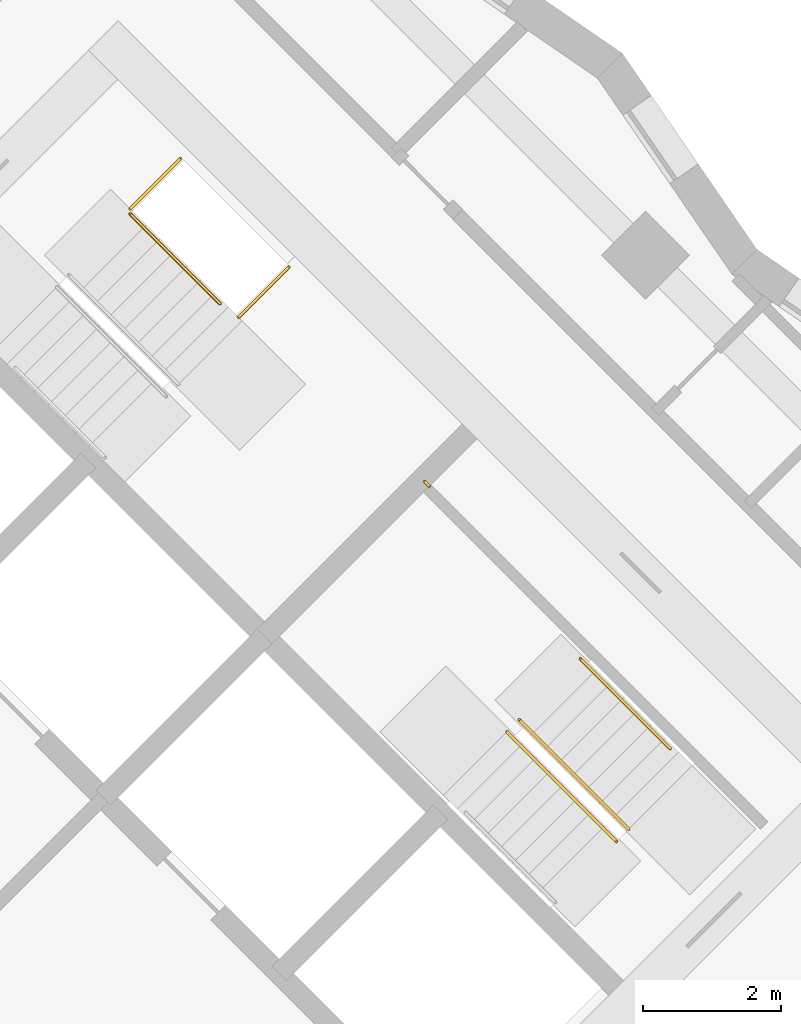
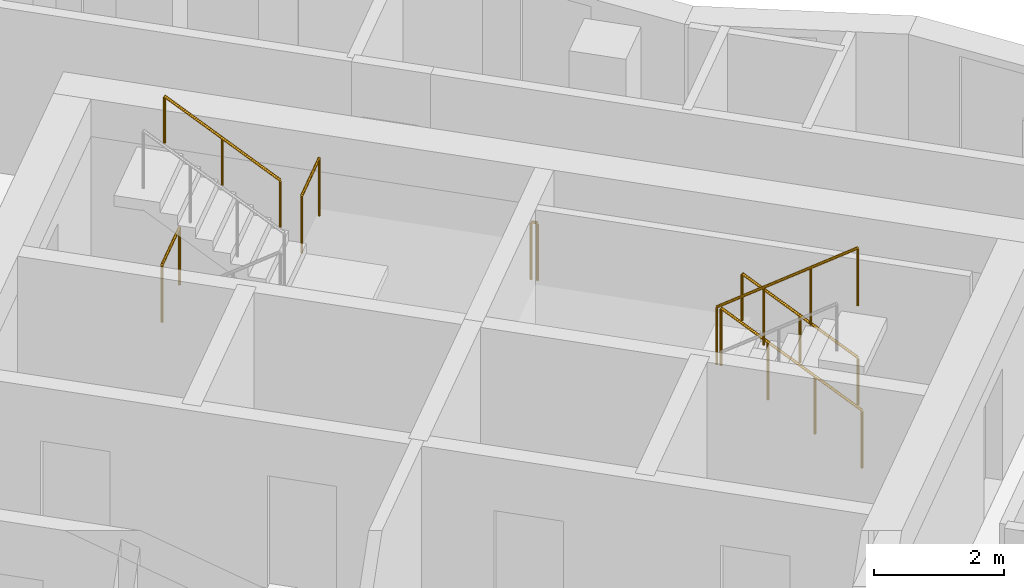
# One storey, part 13 of 13: 7 railings.
"""IFC4 building model written with IfcOpenShell, lengths in metres."""

import ifcopenshell
import ifcopenshell.guid

model = None  # the IFC model being written
_history = None  # IfcOwnerHistory: only IFC2X3 demands one
_inside = {}  # id of a spatial element -> (the spatial element, [elements in it])
_under = {}  # id of a project, library or spatial element -> (it, [spatial elements below it])
_declared = {}  # id of a project -> (the project, [libraries it declares])
_typed = {}  # id of a type object -> (the type object, [elements of that type])
_made_of = {}  # id of a material, layer set ... -> (it, [elements and type objects made of it])


def new_model(schema):
    """Start an empty IFC model of exactly this schema.

    Asked for "IFC4X3", IfcOpenShell would pick the latest addendum, in which some entities
    have other attributes; the version numbers below select the first issue.
    IFC2X3 requires an IfcOwnerHistory on every rooted entity: one is made here for all.
    """
    global model, _history
    if schema == "IFC4X3":
        model = ifcopenshell.file(schema_version=(4, 3, 0, 0))
    else:
        model = ifcopenshell.file(schema=schema)
    _inside.clear()
    _under.clear()
    _declared.clear()
    _typed.clear()
    _made_of.clear()
    _history = None
    if model.schema == "IFC2X3":
        org = make("IfcOrganization", Name="unknown")
        user = make(
            "IfcPersonAndOrganization",
            ThePerson=make("IfcPerson", FamilyName="unknown"),
            TheOrganization=org,
        )
        app = make(
            "IfcApplication",
            ApplicationDeveloper=org,
            Version="unknown",
            ApplicationFullName="unknown",
            ApplicationIdentifier="unknown",
        )
        _history = make(
            "IfcOwnerHistory",
            OwningUser=user,
            OwningApplication=app,
            ChangeAction="ADDED",
            CreationDate=0,
        )
    return model


def make(cls, **values):
    """One entity of the class cls with the attributes given. An attribute that is None is left unset."""
    return model.create_entity(
        cls, **{name: value for name, value in values.items() if value is not None}
    )


def rooted(cls, **values):
    """An entity with a GlobalId (a new one), such as an element, a storey or a relation."""
    return make(cls, GlobalId=ifcopenshell.guid.new(), OwnerHistory=_history, **values)


def si_unit(unit_type, name, prefix=None):
    """IfcSIUnit, for example si_unit("LENGTHUNIT", "METRE", prefix="MILLI")."""
    return make("IfcSIUnit", UnitType=unit_type, Prefix=prefix, Name=name)


def assignment(units):
    """IfcUnitAssignment: the units of a project."""
    return None if units is None else make("IfcUnitAssignment", Units=units)


def point(xyz):
    """IfcCartesianPoint."""
    return None if xyz is None else make("IfcCartesianPoint", Coordinates=xyz)


def direction(xyz):
    """IfcDirection."""
    return None if xyz is None else make("IfcDirection", DirectionRatios=xyz)


def frame(location, z_axis=None, x_axis=None):
    """IfcAxis2Placement3D, a coordinate frame: its origin and axes. An axis left out is left unset."""
    return make(
        "IfcAxis2Placement3D",
        Location=point(location),
        Axis=direction(z_axis),
        RefDirection=direction(x_axis),
    )


def frame_2d(location, x_axis=None):
    """IfcAxis2Placement2D, a coordinate frame in the plane: its origin and x axis."""
    return make(
        "IfcAxis2Placement2D", Location=point(location), RefDirection=direction(x_axis)
    )


def origin():
    """The frame at (0, 0, 0) with its axes left unset."""
    return frame((0.0, 0.0, 0.0))


def origin_2d():
    """The frame at (0, 0) in the plane with its x axis left unset."""
    return frame_2d((0.0, 0.0))


def place(relative_to, where):
    """IfcLocalPlacement: puts the frame where relative to a parent placement (None: the world)."""
    return make(
        "IfcLocalPlacement", PlacementRelTo=relative_to, RelativePlacement=where
    )


def context(
    kind, dimensions, precision=None, world=None, true_north=None, identifier=None
):
    """IfcGeometricRepresentationContext, for example the 3D "Model" context."""
    return make(
        "IfcGeometricRepresentationContext",
        ContextIdentifier=identifier,
        ContextType=kind,
        CoordinateSpaceDimension=dimensions,
        Precision=precision,
        WorldCoordinateSystem=world,
        TrueNorth=true_north,
    )


def subcontext(parent, identifier, kind, view, scale=None):
    """IfcGeometricRepresentationSubContext, for example "Body" below "Model"."""
    return make(
        "IfcGeometricRepresentationSubContext",
        ContextIdentifier=identifier,
        ContextType=kind,
        ParentContext=parent,
        TargetScale=scale,
        TargetView=view,
    )


def project(units=None, contexts=None):
    """IfcProject with its units and contexts."""
    return rooted(
        "IfcProject",
        Name="project",
        RepresentationContexts=contexts,
        UnitsInContext=assignment(units),
    )


def spatial(cls, under=None, at=None, **own):
    """A site, building, storey or space (cls), placed at a placement, below another one or the project."""
    s = rooted(cls, ObjectPlacement=at, **own)
    if under is not None:
        _under.setdefault(under.id(), (under, []))[1].append(s)
    return s


def profile(cls, at=None, kind="AREA", **sizes):
    """A parametric profile (cls). Its sizes go by their IFC names, for example OverallWidth=200.0."""
    return make(cls, ProfileType=kind, Position=at, **sizes)


def circle(**sizes):
    """IfcCircleProfileDef."""
    return profile("IfcCircleProfileDef", **sizes)


def extrude(swept, where, along, depth):
    """IfcExtrudedAreaSolid: the profile swept, set in the frame where, extruded along a direction by depth."""
    return make(
        "IfcExtrudedAreaSolid",
        SweptArea=swept,
        Position=where,
        ExtrudedDirection=direction(along),
        Depth=depth,
    )


def shape(context_of_items, identifier, shape_type, items):
    """IfcShapeRepresentation: the items that make up one representation, for example the "Body"."""
    return make(
        "IfcShapeRepresentation",
        ContextOfItems=context_of_items,
        RepresentationIdentifier=identifier,
        RepresentationType=shape_type,
        Items=items,
    )


def material(Name=None, Category=None):
    """IfcMaterial."""
    return make("IfcMaterial", Name=Name, Category=Category)


def made_of(thing, what):
    """Note that an element or type object is made of a material, layer set ...; save() writes the relation."""
    if what is not None:
        _made_of.setdefault(what.id(), (what, []))[1].append(thing)
    return thing


def type_object(cls, material=None, **own):
    """A type object (cls), such as IfcWallType, which elements share."""
    return made_of(rooted(cls, **own), material)


def element(
    cls,
    number,
    at=None,
    inside=None,
    cuts=None,
    type_object=None,
    material=None,
    context=None,
    identifier="Body",
    shape_type=None,
    held_by="IfcProductDefinitionShape",
    body=None,
    shapes=None,
    **own,
):
    """One element of the class cls, such as IfcWall. Its Tag is "e" and its number.

    at: its placement. inside: the storey or other place that contains it. cuts: it is an
    opening in that element (IfcRelVoidsElement). A single representation is given by context,
    identifier, shape_type and body (its items); several are given by shapes. held_by: the class
    of the entity that holds the representations. save() writes the other relations.
    """
    e = rooted(cls, Tag="e%d" % number, ObjectPlacement=at, **own)
    if body is not None:
        shapes = [shape(context, identifier, shape_type, body)]
    if shapes is not None:
        e.Representation = make(held_by, Representations=shapes)
    if inside is not None:
        _inside.setdefault(inside.id(), (inside, []))[1].append(e)
    if cuts is not None:
        rooted(
            "IfcRelVoidsElement", RelatingBuildingElement=cuts, RelatedOpeningElement=e
        )
    if type_object is not None:
        _typed.setdefault(type_object.id(), (type_object, []))[1].append(e)
    return made_of(e, material)


def aggregate(whole, parts):
    """IfcRelAggregates: a whole, such as a stair, and the parts it consists of."""
    return rooted("IfcRelAggregates", RelatingObject=whole, RelatedObjects=parts)


def save(model, path):
    """Write the relations noted so far, then the file.

    IfcRelAggregates (storeys below a building ...), IfcRelContainedInSpatialStructure (elements
    in a storey), IfcRelDefinesByType, IfcRelAssociatesMaterial and IfcRelDeclares: one each for
    every whole, place, type object, material and project.
    """
    for whole, parts in _under.values():
        aggregate(whole, parts)
    for where, things in _inside.values():
        rooted(
            "IfcRelContainedInSpatialStructure",
            RelatedElements=things,
            RelatingStructure=where,
        )
    for kind, things in _typed.values():
        rooted("IfcRelDefinesByType", RelatedObjects=things, RelatingType=kind)
    for what, things in _made_of.values():
        rooted("IfcRelAssociatesMaterial", RelatedObjects=things, RelatingMaterial=what)
    for by, libraries in _declared.values():
        rooted("IfcRelDeclares", RelatingContext=by, RelatedDefinitions=libraries)
    model.write(path)


model = new_model("IFC4")

# Units and contexts
model_context = context("Model", 3, precision=1e-05, world=origin(), true_north=direction((0.0, 1.0)))
body_context = subcontext(model_context, "Body", "Model", "MODEL_VIEW")
ifc_project = project(units=[si_unit("LENGTHUNIT", "METRE"), si_unit("AREAUNIT", "SQUARE_METRE"), si_unit("VOLUMEUNIT", "CUBIC_METRE"), si_unit("PLANEANGLEUNIT", "RADIAN"), si_unit("MASSUNIT", "GRAM", prefix="KILO")], contexts=[model_context])

# Site, building, storey
site_placement = place(None, origin())
site = spatial("IfcSite", under=ifc_project, at=site_placement, CompositionType="ELEMENT")
building_placement = place(site_placement, origin())
building = spatial("IfcBuilding", under=site, at=building_placement, Name="Windrow Commons", CompositionType="ELEMENT")
storey_placement = place(building_placement, frame((0.0, 0.0, 172.8)))
storey = spatial("IfcBuildingStorey", under=building, at=storey_placement, Name="L47", CompositionType="ELEMENT", Elevation=172.8)

# Railings
ifc_material_1 = material(Name="Steel S355", Category="steel")
railing_type_1 = type_object("IfcRailingType", Name="Core stair guard 1100", PredefinedType="GUARDRAIL", material=ifc_material_1)
railing_1_placement = place(storey_placement, frame((87.0135, 57.3982, 0.0)))
element("IfcRailing", 1, at=railing_1_placement, inside=storey, type_object=railing_type_1, Name="L47 ST-B1 stair guard 3", PredefinedType="GUARDRAIL", context=body_context, shape_type="SweptSolid", body=[
    extrude(circle(Radius=0.024, at=origin_2d()), frame((0.0, 0.0, 1.076), z_axis=(0.7070582378, 0.7071553212, 0.0), x_axis=(-0.7071553212, 0.7070582378, 0.0)), (0.0, 0.0, 1.0), 1.03),
    extrude(circle(Radius=0.021, at=origin_2d()), origin(), (0.0, 0.0, 1.0), 1.052),
    extrude(circle(Radius=0.021, at=origin_2d()), frame((0.7283, 0.7284, 0.0)), (0.0, 0.0, 1.0), 1.052),
])
railing_2_placement = place(storey_placement, frame((88.5833, 55.8285, 1.7)))
element("IfcRailing", 2, at=railing_2_placement, inside=storey, type_object=railing_type_1, Name="L47 ST-B1 stair guard 4", PredefinedType="GUARDRAIL", context=body_context, shape_type="SweptSolid", body=[
    extrude(circle(Radius=0.024, at=origin_2d()), frame((0.0, 0.0, 1.076), z_axis=(0.7071067812, 0.7071067812, 0.0), x_axis=(-0.7071067812, 0.7071067812, 0.0)), (0.0, 0.0, 1.0), 1.03),
    extrude(circle(Radius=0.021, at=origin_2d()), origin(), (0.0, 0.0, 1.0), 1.052),
    extrude(circle(Radius=0.021, at=origin_2d()), frame((0.7283, 0.7283, 0.0)), (0.0, 0.0, 1.0), 1.052),
])
railing_3_placement = place(storey_placement, frame((94.2296, 48.4215, 0.1889)))
element("IfcRailing", 3, at=railing_3_placement, inside=storey, type_object=railing_type_1, Name="L47 ST-B2 stair guard 1", PredefinedType="GUARDRAIL", context=body_context, shape_type="SweptSolid", body=[
    extrude(circle(Radius=0.024, at=origin_2d()), frame((0.0, 0.0, 1.076), z_axis=(-0.5862157828, 0.5861787742, 0.5592365337), x_axis=(-0.7070844598, -0.7071291018, 0.0)), (0.0, 0.0, 1.0), 2.7021),
    extrude(circle(Radius=0.021, at=origin_2d()), origin(), (0.0, 0.0, 1.0), 1.052),
    extrude(circle(Radius=0.021, at=origin_2d()), frame((-0.528, 0.528, 0.5037)), (0.0, 0.0, 1.0), 1.052),
    extrude(circle(Radius=0.021, at=origin_2d()), frame((-1.056, 1.0559, 1.0074)), (0.0, 0.0, 1.0), 1.052),
    extrude(circle(Radius=0.021, at=origin_2d()), frame((-1.584, 1.5839, 1.5111)), (0.0, 0.0, 1.0), 1.052),
])
railing_4_placement = place(storey_placement, frame((92.4689, 49.8287, 1.8889)))
element("IfcRailing", 4, at=railing_4_placement, inside=storey, type_object=railing_type_1, Name="L47 ST-B2 stair guard 2", PredefinedType="GUARDRAIL", context=body_context, shape_type="SweptSolid", body=[
    extrude(circle(Radius=0.024, at=origin_2d()), frame((0.0, 0.0, 1.076), z_axis=(0.5861787742, -0.5862157828, 0.5592365337), x_axis=(0.7071291018, 0.7070844598, 0.0)), (0.0, 0.0, 1.0), 2.7021),
    extrude(circle(Radius=0.021, at=origin_2d()), origin(), (0.0, 0.0, 1.0), 1.052),
    extrude(circle(Radius=0.021, at=origin_2d()), frame((0.528, -0.528, 0.5037)), (0.0, 0.0, 1.0), 1.052),
    extrude(circle(Radius=0.021, at=origin_2d()), frame((1.0559, -1.056, 1.0074)), (0.0, 0.0, 1.0), 1.052),
    extrude(circle(Radius=0.021, at=origin_2d()), frame((1.5839, -1.584, 1.5111)), (0.0, 0.0, 1.0), 1.052),
])
railing_5_placement = place(storey_placement, frame((91.3446, 53.3854, 1.7)))
element("IfcRailing", 5, at=railing_5_placement, inside=storey, type_object=railing_type_1, Name="L47 ST-B2 stair guard 3", PredefinedType="GUARDRAIL", context=body_context, shape_type="SweptSolid", body=[
    extrude(circle(Radius=0.024, at=origin_2d()), frame((0.0, 0.0, 1.076), z_axis=(-0.7076063266, 0.7066068826, 0.0), x_axis=(-0.7066068826, -0.7076063266, 0.0)), (0.0, 0.0, 1.0), 0.1001),
    extrude(circle(Radius=0.021, at=origin_2d()), origin(), (0.0, 0.0, 1.0), 1.052),
    extrude(circle(Radius=0.021, at=origin_2d()), frame((-0.0708, 0.0707, 0.0)), (0.0, 0.0, 1.0), 1.052),
])
ifc_material_2 = material(Name="Steel S355", Category="steel")
railing_type_2 = type_object("IfcRailingType", Name="Core stair handrail 900", PredefinedType="HANDRAIL", material=ifc_material_2)
for number, where, name in (
    (6, (88.3146, 56.0265, 2.1587), "L47 ST-B1 stair handrail 2"),
    (7, (94.8306, 49.5883, 0.4587), "L47 ST-B2 stair handrail 1"),
):
    element("IfcRailing", number, at=place(storey_placement, frame(where)), inside=storey, type_object=railing_type_2, Name=name, PredefinedType="HANDRAIL", context=body_context, shape_type="SweptSolid", body=[
        extrude(circle(Radius=0.024, at=origin_2d()), frame((0.0, 0.0, 0.876), z_axis=(-0.586206706, 0.5861616513, 0.5592639952), x_axis=(-0.7070796062, -0.7071339551, 0.0)), (0.0, 0.0, 1.0), 2.2195),
        extrude(circle(Radius=0.021, at=origin_2d()), origin(), (0.0, 0.0, 1.0), 0.852),
        extrude(circle(Radius=0.021, at=origin_2d()), frame((-0.6506, 0.6505, 0.6206)), (0.0, 0.0, 1.0), 0.852),
        extrude(circle(Radius=0.021, at=origin_2d()), frame((-1.3011, 1.301, 1.2413)), (0.0, 0.0, 1.0), 0.852),
    ])

save(model, "model.ifc")
